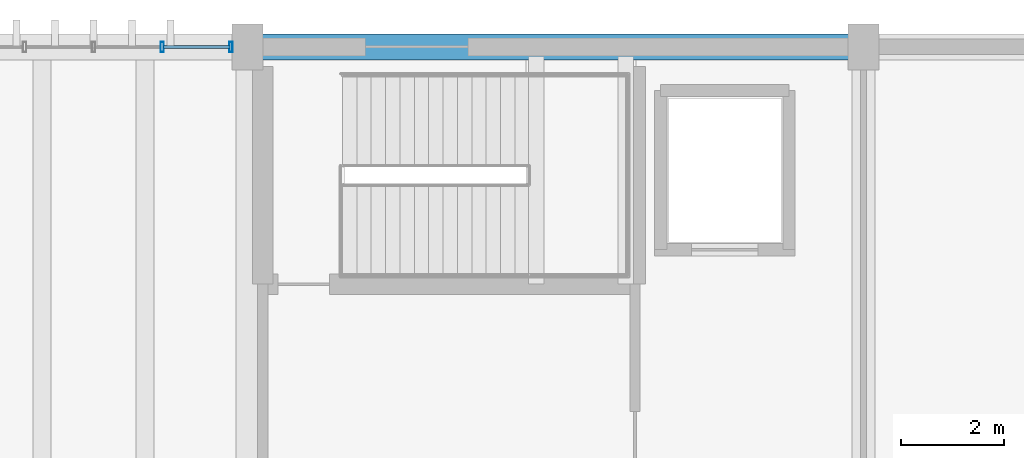
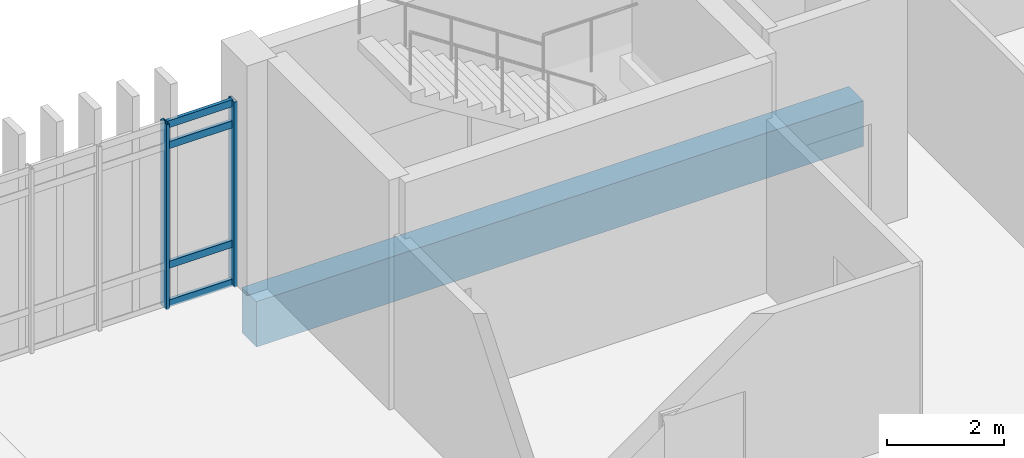
# One storey, part 56 of 87: 6 members, 1 beam, 1 element without a shape of its own.
"""IFC4 building model written with IfcOpenShell, lengths in metres."""

from ifc_helpers import new_model, si_unit, direction, frame, origin, origin_2d, place, context, subcontext, project, spatial, rectangle, hollow_rectangle, extrude, material, layer, layer_set, material_profile, profile_set, type_object, element, aggregate, save


model = new_model("IFC4")

# Units and contexts
model_context = context("Model", 3, precision=1e-05, world=origin(), true_north=direction((0.0, 1.0)))
body_context = subcontext(model_context, "Body", "Model", "MODEL_VIEW")
ifc_project = project(units=[si_unit("LENGTHUNIT", "METRE"), si_unit("AREAUNIT", "SQUARE_METRE"), si_unit("VOLUMEUNIT", "CUBIC_METRE"), si_unit("PLANEANGLEUNIT", "RADIAN"), si_unit("MASSUNIT", "GRAM", prefix="KILO")], contexts=[model_context])

# Site, building, storey
site_placement = place(None, origin())
site = spatial("IfcSite", under=ifc_project, at=site_placement, CompositionType="ELEMENT")
building_placement = place(site_placement, origin())
building = spatial("IfcBuilding", under=site, at=building_placement, Name="Mersad Railyard Sports Hall", CompositionType="ELEMENT")
storey_placement = place(building_placement, origin())
storey = spatial("IfcBuildingStorey", under=building, at=storey_placement, Name="L00", CompositionType="ELEMENT", Elevation=0.0)

# Curtain wall, members
ifc_material_1 = material(Name="Aluminium 6063-T6", Category="aluminium")
ifc_layer = layer(ifc_material_1, 0.199951171875)
ifc_layer_set = layer_set([ifc_layer], Name="Aluminium 6063-T6")
curtain_wall_type = type_object("IfcCurtainWallType", Name="ARC-CW-CW30", PredefinedType="USERDEFINED", material=ifc_layer_set)
curtain_wall_placement = place(storey_placement, origin())
curtain_wall = element("IfcCurtainWall", 1, at=curtain_wall_placement, inside=storey, type_object=curtain_wall_type, Name="Curtain wall CW30-0087", ObjectType="CURTAIN WALL", PredefinedType="USERDEFINED")
ifc_material_profile_1 = material_profile(ifc_material_1, hollow_rectangle(XDim=0.06494140625, YDim=0.199951171875, WallThickness=0.0048828125, at=origin_2d()), Name="AL MULLION 65x200x5")
ifc_profile_set_1 = profile_set([ifc_material_profile_1], Name="Aluminium 6063-T6")
member_type_1 = type_object("IfcMemberType", Name="ARC-CW-MUL02", PredefinedType="MULLION", material=ifc_profile_set_1)
member_1_placement = place(storey_placement, frame((135.340087890625, 115.0, -0.02001953125), z_axis=(0.0, 0.0, 1.0), x_axis=(1.0, 0.0, 0.0)))
member_1 = element("IfcMember", 2, at=member_1_placement, type_object=member_type_1, Name="CW30 Mullion 4", PredefinedType="MULLION", context=body_context, shape_type="SweptSolid", body=[
    extrude(hollow_rectangle(XDim=0.06494140625, YDim=0.199951171875, WallThickness=0.0048828125, at=origin_2d()), origin(), (0.0, 0.0, 1.0), 3.8701171875),
])
member_2_placement = place(storey_placement, frame((136.679931640625, 115.0, -0.02001953125), z_axis=(0.0, 0.0, 1.0), x_axis=(1.0, 0.0, 0.0)))
member_2 = element("IfcMember", 3, at=member_2_placement, type_object=member_type_1, Name="CW30 Mullion 5", PredefinedType="MULLION", context=body_context, shape_type="SweptSolid", body=[
    extrude(hollow_rectangle(XDim=0.06494140625, YDim=0.199951171875, WallThickness=0.0048828125, at=origin_2d()), origin(), (0.0, 0.0, 1.0), 3.8701171875),
])
ifc_material_profile_2 = material_profile(ifc_material_1, hollow_rectangle(XDim=0.06494140625, YDim=0.14990234375, WallThickness=0.00439453125, at=origin_2d()), Name="AL TRANSOM 65x150x4.5")
ifc_profile_set_2 = profile_set([ifc_material_profile_2], Name="Aluminium 6063-T6")
member_type_2 = type_object("IfcMemberType", Name="ARC-CW-TRN02", PredefinedType="USERDEFINED", material=ifc_profile_set_2)
member_3_placement = place(storey_placement, frame((135.360107421875, 115.0, 0.0400390625), z_axis=(1.0, 0.0, 0.0), x_axis=(0.0, 1.0, 0.0)))
member_3 = element("IfcMember", 4, at=member_3_placement, type_object=member_type_2, Name="CW30 Transom 1-4", ObjectType="TRANSOM", PredefinedType="USERDEFINED", context=body_context, shape_type="SweptSolid", body=[
    extrude(hollow_rectangle(XDim=0.06494140625, YDim=0.14990234375, WallThickness=0.00439453125, at=origin_2d()), origin(), (0.0, 0.0, 1.0), 1.2998046875),
])
member_4_placement = place(storey_placement, frame((135.360107421875, 115.0, 0.85009765625), z_axis=(1.0, 0.0, 0.0), x_axis=(0.0, 1.0, 0.0)))
member_4 = element("IfcMember", 5, at=member_4_placement, type_object=member_type_2, Name="CW30 Transom 2-4", ObjectType="TRANSOM", PredefinedType="USERDEFINED", context=body_context, shape_type="SweptSolid", body=[
    extrude(hollow_rectangle(XDim=0.06494140625, YDim=0.14990234375, WallThickness=0.00439453125, at=origin_2d()), origin(), (0.0, 0.0, 1.0), 1.2998046875),
])
member_5_placement = place(storey_placement, frame((135.360107421875, 115.0, 3.35009765625), z_axis=(1.0, 0.0, 0.0), x_axis=(0.0, 1.0, 0.0)))
member_5 = element("IfcMember", 6, at=member_5_placement, type_object=member_type_2, Name="CW30 Transom 3-4", ObjectType="TRANSOM", PredefinedType="USERDEFINED", context=body_context, shape_type="SweptSolid", body=[
    extrude(hollow_rectangle(XDim=0.06494140625, YDim=0.14990234375, WallThickness=0.00439453125, at=origin_2d()), origin(), (0.0, 0.0, 1.0), 1.2998046875),
])
member_6_placement = place(storey_placement, frame((135.360107421875, 115.0, 3.7900390625), z_axis=(1.0, 0.0, 0.0), x_axis=(0.0, 1.0, 0.0)))
member_6 = element("IfcMember", 7, at=member_6_placement, type_object=member_type_2, Name="CW30 Transom 4-4", ObjectType="TRANSOM", PredefinedType="USERDEFINED", context=body_context, shape_type="SweptSolid", body=[
    extrude(hollow_rectangle(XDim=0.06494140625, YDim=0.14990234375, WallThickness=0.00439453125, at=origin_2d()), origin(), (0.0, 0.0, 1.0), 1.2998046875),
])
aggregate(curtain_wall, [member_1, member_2, member_3, member_4, member_5, member_6])

# Beam
ifc_material_2 = material(Name="Concrete C50/60", Category="concrete")
ifc_material_profile_3 = material_profile(ifc_material_2, rectangle(XDim=0.5, YDim=0.949951171875, at=origin_2d()), Name="RC 500x950")
ifc_profile_set_3 = profile_set([ifc_material_profile_3], Name="Concrete C50/60")
beam_type = type_object("IfcBeamType", Name="STR-BM-B03", PredefinedType="BEAM", material=ifc_profile_set_3)
beam_placement = place(storey_placement, frame((137.0, 115.0, -0.824951171875), z_axis=(1.0, 0.0, 0.0), x_axis=(0.0, 1.0, 0.0)))
element("IfcBeam", 8, at=beam_placement, inside=storey, type_object=beam_type, Name="Beam B03-0209", PredefinedType="BEAM", context=body_context, shape_type="SweptSolid", body=[
    extrude(rectangle(XDim=0.5, YDim=0.949951171875, at=origin_2d()), origin(), (0.0, 0.0, 1.0), 12.0),
])

save(model, "model.ifc")
